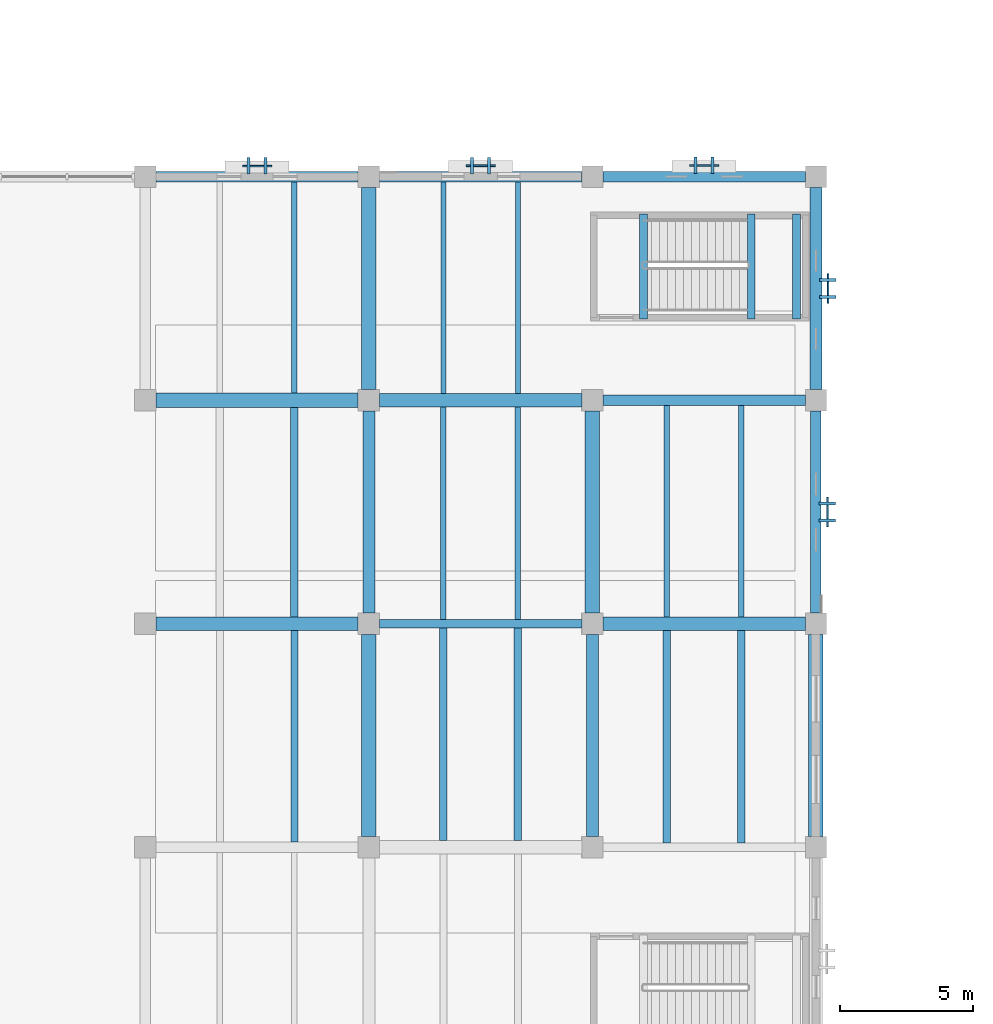
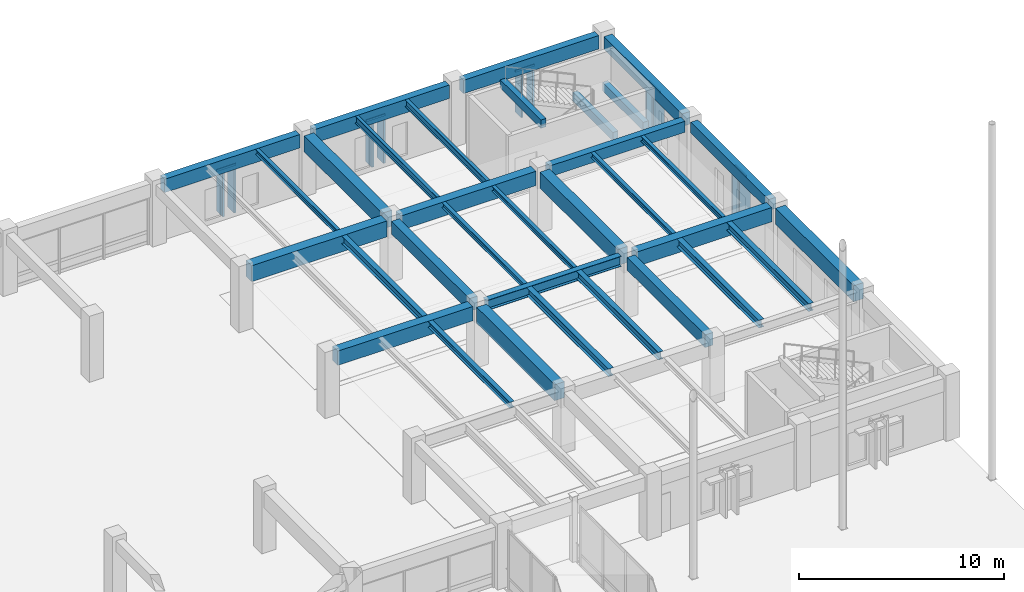
# One storey, part 63 of 135: 33 beams, 15 members, 5 elements without a shape of their own.
"""IFC4 building model written with IfcOpenShell, lengths in metres."""

from ifc_helpers import new_model, si_unit, direction, frame, origin, origin_2d, place, context, subcontext, project, spatial, rectangle, i_section, extrude, material, material_profile, profile_set, type_object, element, aggregate, save


model = new_model("IFC4")

# Units and contexts
model_context = context("Model", 3, precision=1e-05, world=origin(), true_north=direction((0.0, 1.0)))
body_context = subcontext(model_context, "Body", "Model", "MODEL_VIEW")
ifc_project = project(units=[si_unit("LENGTHUNIT", "METRE"), si_unit("AREAUNIT", "SQUARE_METRE"), si_unit("VOLUMEUNIT", "CUBIC_METRE"), si_unit("PLANEANGLEUNIT", "RADIAN"), si_unit("MASSUNIT", "GRAM", prefix="KILO")], contexts=[model_context])

# Site, building, storey
site_placement = place(None, origin())
site = spatial("IfcSite", under=ifc_project, at=site_placement, CompositionType="ELEMENT")
building_placement = place(site_placement, origin())
building = spatial("IfcBuilding", under=site, at=building_placement, Name="Cumbredor Promenade Congress Hotel", CompositionType="ELEMENT")
storey_placement = place(building_placement, origin())
storey = spatial("IfcBuildingStorey", under=building, at=storey_placement, Name="L00", CompositionType="ELEMENT", Elevation=0.0)

# Beams
ifc_material_1 = material(Name="Concrete C40/50", Category="concrete")
ifc_material_profile_1 = material_profile(ifc_material_1, rectangle(XDim=0.39990234375, YDim=0.64990234375, at=origin_2d()), Name="RC BEAM 400x650")
ifc_profile_set_1 = profile_set([ifc_material_profile_1], Name="Concrete C40/50")
beam_type_1 = type_object("IfcBeamType", Name="BM-RC-400x650", PredefinedType="BEAM", material=ifc_profile_set_1)
for number, where, z_axis, x_axis, name in (
    (1, (168.39990234375, 109.199951171875, 3.31494140625), (1.0, 0.0, 0.0), (0.0, 1.0, 0.0), "L01 X-Grid Beam 266"),
    (2, (176.39990234375, 101.199951171875, 3.31494140625), (0.0, 1.0, 0.0), (-1.0, 0.0, 0.0), "L01 Y-Grid Beam 274"),
):
    element("IfcBeam", number, at=place(storey_placement, frame(where, z_axis=z_axis, x_axis=x_axis)), inside=storey, type_object=beam_type_1, Name=name, PredefinedType="BEAM", context=body_context, shape_type="SweptSolid", body=[
        extrude(rectangle(XDim=0.39990234375, YDim=0.64990234375, at=origin_2d()), origin(), (0.0, 0.0, 1.0), 7.60009765625),
    ])
ifc_material_profile_2 = material_profile(ifc_material_1, rectangle(XDim=0.449951171875, YDim=0.75, at=origin_2d()), Name="RC BEAM 450x750")
ifc_profile_set_2 = profile_set([ifc_material_profile_2], Name="Concrete C40/50")
beam_type_2 = type_object("IfcBeamType", Name="BM-RC-450x750", PredefinedType="BEAM", material=ifc_profile_set_2)
beam_1_placement = place(storey_placement, frame((159.60009765625, 101.199951171875, 3.264892578125), z_axis=(0.0, 1.0, 0.0), x_axis=(-1.0, 0.0, 0.0)))
element("IfcBeam", 3, at=beam_1_placement, inside=storey, type_object=beam_type_2, Name="L01 Y-Grid Beam 251", PredefinedType="BEAM", context=body_context, shape_type="SweptSolid", body=[
    extrude(rectangle(XDim=0.449951171875, YDim=0.75, at=origin_2d()), origin(), (0.0, 0.0, 1.0), 7.60009765625),
])
for number, where, z_axis, x_axis, name in (
    (4, (168.0, 92.800048828125, 3.264892578125), (0.0, 1.0, 0.0), (-1.0, 0.0, 0.0), "L01 Y-Grid Beam 263"),
    (5, (176.39990234375, 109.60009765625, 3.264892578125), (0.0, 1.0, 0.0), (-1.0, 0.0, 0.0), "L01 Y-Grid Beam 275"),
):
    element("IfcBeam", number, at=place(storey_placement, frame(where, z_axis=z_axis, x_axis=x_axis)), inside=storey, type_object=beam_type_2, Name=name, PredefinedType="BEAM", context=body_context, shape_type="SweptSolid", body=[
        extrude(rectangle(XDim=0.449951171875, YDim=0.75, at=origin_2d()), origin(), (0.0, 0.0, 1.0), 7.599853515625),
    ])
ifc_material_profile_3 = material_profile(ifc_material_1, rectangle(XDim=0.5, YDim=0.85009765625, at=origin_2d()), Name="RC BEAM 500x850")
ifc_profile_set_3 = profile_set([ifc_material_profile_3], Name="Concrete C40/50")
beam_type_3 = type_object("IfcBeamType", Name="BM-RC-500x850", PredefinedType="BEAM", material=ifc_profile_set_3)
beam_2_placement = place(storey_placement, frame((151.60009765625, 100.800048828125, 3.215087890625), z_axis=(1.0, 0.0, 0.0), x_axis=(0.0, 1.0, 0.0)))
element("IfcBeam", 6, at=beam_2_placement, inside=storey, type_object=beam_type_3, Name="L01 X-Grid Beam 236", PredefinedType="BEAM", context=body_context, shape_type="SweptSolid", body=[
    extrude(rectangle(XDim=0.5, YDim=0.85009765625, at=origin_2d()), origin(), (0.0, 0.0, 1.0), 7.599853515625),
])
for number, where, z_axis, x_axis, name in (
    (7, (160.0, 109.199951171875, 3.215087890625), (1.0, 0.0, 0.0), (0.0, 1.0, 0.0), "L01 X-Grid Beam 252"),
    (8, (168.39990234375, 100.800048828125, 3.215087890625), (1.0, 0.0, 0.0), (0.0, 1.0, 0.0), "L01 X-Grid Beam 264"),
):
    element("IfcBeam", number, at=place(storey_placement, frame(where, z_axis=z_axis, x_axis=x_axis)), inside=storey, type_object=beam_type_3, Name=name, PredefinedType="BEAM", context=body_context, shape_type="SweptSolid", body=[
        extrude(rectangle(XDim=0.5, YDim=0.85009765625, at=origin_2d()), origin(), (0.0, 0.0, 1.0), 7.60009765625),
    ])
ifc_material_profile_4 = material_profile(ifc_material_1, rectangle(XDim=0.550048828125, YDim=0.949951171875, at=origin_2d()), Name="RC BEAM 550x950")
ifc_profile_set_4 = profile_set([ifc_material_profile_4], Name="Concrete C40/50")
beam_type_4 = type_object("IfcBeamType", Name="BM-RC-550x950", PredefinedType="BEAM", material=ifc_profile_set_4)
for number, where, z_axis, x_axis, name in (
    (9, (151.60009765625, 109.199951171875, 3.1650390625), (1.0, 0.0, 0.0), (0.0, 1.0, 0.0), "L01 X-Grid Beam 237"),
    (10, (159.60009765625, 92.800048828125, 3.1650390625), (0.0, 1.0, 0.0), (-1.0, 0.0, 0.0), "L01 Y-Grid Beam 249"),
    (11, (159.60009765625, 109.60009765625, 3.1650390625), (0.0, 1.0, 0.0), (-1.0, 0.0, 0.0), "L01 Y-Grid Beam 253"),
):
    element("IfcBeam", number, at=place(storey_placement, frame(where, z_axis=z_axis, x_axis=x_axis)), inside=storey, type_object=beam_type_4, Name=name, PredefinedType="BEAM", context=body_context, shape_type="SweptSolid", body=[
        extrude(rectangle(XDim=0.550048828125, YDim=0.949951171875, at=origin_2d()), origin(), (0.0, 0.0, 1.0), 7.599853515625),
    ])
beam_3_placement = place(storey_placement, frame((168.0, 101.199951171875, 3.1650390625), z_axis=(0.0, 1.0, 0.0), x_axis=(-1.0, 0.0, 0.0)))
element("IfcBeam", 12, at=beam_3_placement, inside=storey, type_object=beam_type_4, Name="L01 Y-Grid Beam 265", PredefinedType="BEAM", context=body_context, shape_type="SweptSolid", body=[
    extrude(rectangle(XDim=0.550048828125, YDim=0.949951171875, at=origin_2d()), origin(), (0.0, 0.0, 1.0), 7.60009765625),
])
beam_4_placement = place(storey_placement, frame((176.39990234375, 92.800048828125, 3.1650390625), z_axis=(0.0, 1.0, 0.0), x_axis=(-1.0, 0.0, 0.0)))
element("IfcBeam", 13, at=beam_4_placement, inside=storey, type_object=beam_type_4, Name="L01 Y-Grid Beam 273", PredefinedType="BEAM", context=body_context, shape_type="SweptSolid", body=[
    extrude(rectangle(XDim=0.550048828125, YDim=0.949951171875, at=origin_2d()), origin(), (0.0, 0.0, 1.0), 7.599853515625),
])
ifc_material_2 = material(Name="Steel ASTM A992 Grade 50", Category="steel")
ifc_material_profile_5 = material_profile(ifc_material_2, i_section(OverallWidth=0.323974609375, OverallDepth=0.611083984375, WebThickness=0.0126953125, FlangeThickness=0.01904296875, at=origin_2d()), Name="W24X104")
ifc_profile_set_5 = profile_set([ifc_material_profile_5], Name="Steel ASTM A992 Grade 50")
beam_type_5 = type_object("IfcBeamType", Name="BM-W24X104", PredefinedType="BEAM", material=ifc_profile_set_5)
beam_5_placement = place(storey_placement, frame((160.0, 100.800048828125, 3.33447265625), z_axis=(1.0, 0.0, 0.0), x_axis=(0.0, 1.0, 0.0)))
element("IfcBeam", 14, at=beam_5_placement, inside=storey, type_object=beam_type_5, Name="L01 X-Grid Beam 250", PredefinedType="BEAM", context=body_context, shape_type="SweptSolid", body=[
    extrude(i_section(OverallWidth=0.323974609375, OverallDepth=0.611083984375, WebThickness=0.0126953125, FlangeThickness=0.01904296875, at=origin_2d()), origin(), (0.0, 0.0, 1.0), 7.60009765625),
])

# Curtain wall, member
ifc_material_3 = material(Name="Thermally broken anodized aluminium and low-E glass", Category="aluminium")
curtain_wall_type = type_object("IfcCurtainWallType", Name="Solar Brise-Soleil Screen Assembly CW-07", PredefinedType="NOTDEFINED", material=ifc_material_3)
curtain_wall_1_placement = place(storey_placement, origin())
curtain_wall_1 = element("IfcCurtainWall", 15, at=curtain_wall_1_placement, inside=storey, type_object=curtain_wall_type, Name="L00 Pier Brise-Soleil Screen 0070", PredefinedType="NOTDEFINED")
ifc_material_4 = material(Name="Thermally broken anodized aluminium", Category="aluminium")
ifc_material_profile_6 = material_profile(ifc_material_4, rectangle(XDim=0.06494140625, YDim=0.1298828125, at=origin_2d()), Name="ALU TRANSOM 65x130")
ifc_profile_set_6 = profile_set([ifc_material_profile_6], Name="Thermally broken anodized aluminium")
member_type_1 = type_object("IfcMemberType", Name="Curtain Wall Transom TR-01", PredefinedType="USERDEFINED", material=ifc_profile_set_6)
member_1_placement = place(storey_placement, frame((154.85009765625, 118.0, 2.6650390625), z_axis=(1.0, 0.0, 0.0), x_axis=(0.0, 1.0, 0.0)))
member_1 = element("IfcMember", 16, at=member_1_placement, type_object=member_type_1, Name="L00 Pier Brise-Soleil Header 0072", ObjectType="TRANSOM", PredefinedType="USERDEFINED", context=body_context, shape_type="SweptSolid", body=[
    extrude(rectangle(XDim=0.06494140625, YDim=0.1298828125, at=origin_2d()), origin(), (0.0, 0.0, 1.0), 1.099853515625),
])

curtain_wall_2_placement = place(storey_placement, origin())
curtain_wall_2 = element("IfcCurtainWall", 17, at=curtain_wall_2_placement, inside=storey, type_object=curtain_wall_type, Name="L00 Pier Brise-Soleil Screen 0073", PredefinedType="NOTDEFINED")
member_2_placement = place(storey_placement, frame((163.25, 118.010009765625, 2.6650390625), z_axis=(1.0, 0.0, 0.0), x_axis=(0.0, 1.0, 0.0)))
member_2 = element("IfcMember", 18, at=member_2_placement, type_object=member_type_1, Name="L00 Pier Brise-Soleil Header 0075", ObjectType="TRANSOM", PredefinedType="USERDEFINED", context=body_context, shape_type="SweptSolid", body=[
    extrude(rectangle(XDim=0.06494140625, YDim=0.1298828125, at=origin_2d()), origin(), (0.0, 0.0, 1.0), 1.10009765625),
])

curtain_wall_3_placement = place(storey_placement, origin())
curtain_wall_3 = element("IfcCurtainWall", 19, at=curtain_wall_3_placement, inside=storey, type_object=curtain_wall_type, Name="L00 Pier Brise-Soleil Screen 0076", PredefinedType="NOTDEFINED")
member_3_placement = place(storey_placement, frame((171.64990234375, 118.0224609375, 2.6650390625), z_axis=(1.0, 0.0, 0.0), x_axis=(0.0, 1.0, 0.0)))
member_3 = element("IfcMember", 20, at=member_3_placement, type_object=member_type_1, Name="L00 Pier Brise-Soleil Header 0078", ObjectType="TRANSOM", PredefinedType="USERDEFINED", context=body_context, shape_type="SweptSolid", body=[
    extrude(rectangle(XDim=0.06494140625, YDim=0.1298828125, at=origin_2d()), origin(), (0.0, 0.0, 1.0), 1.10009765625),
])

curtain_wall_4_placement = place(storey_placement, origin())
curtain_wall_4 = element("IfcCurtainWall", 21, at=curtain_wall_4_placement, inside=storey, type_object=curtain_wall_type, Name="L00 Pier Brise-Soleil Screen 0088", PredefinedType="NOTDEFINED")
member_4_placement = place(storey_placement, frame((176.8349609375, 104.449951171875, 2.81494140625), z_axis=(0.0, 1.0, 0.0), x_axis=(-1.0, 0.0, 0.0)))
member_4 = element("IfcMember", 22, at=member_4_placement, type_object=member_type_1, Name="L00 Pier Brise-Soleil Header 0090", ObjectType="TRANSOM", PredefinedType="USERDEFINED", context=body_context, shape_type="SweptSolid", body=[
    extrude(rectangle(XDim=0.06494140625, YDim=0.1298828125, at=origin_2d()), origin(), (0.0, 0.0, 1.0), 1.10009765625),
])

curtain_wall_5_placement = place(storey_placement, origin())
curtain_wall_5 = element("IfcCurtainWall", 23, at=curtain_wall_5_placement, inside=storey, type_object=curtain_wall_type, Name="L00 Pier Brise-Soleil Screen 0091", PredefinedType="NOTDEFINED")
member_5_placement = place(storey_placement, frame((176.85009765625, 112.85009765625, 2.715087890625), z_axis=(0.0, 1.0, 0.0), x_axis=(-1.0, 0.0, 0.0)))
member_5 = element("IfcMember", 24, at=member_5_placement, type_object=member_type_1, Name="L00 Pier Brise-Soleil Header 0093", ObjectType="TRANSOM", PredefinedType="USERDEFINED", context=body_context, shape_type="SweptSolid", body=[
    extrude(rectangle(XDim=0.06494140625, YDim=0.1298828125, at=origin_2d()), origin(), (0.0, 0.0, 1.0), 1.099853515625),
])

# Beams
ifc_material_profile_7 = material_profile(ifc_material_2, i_section(OverallWidth=0.202880859375, OverallDepth=0.302978515625, WebThickness=0.007568359375, FlangeThickness=0.01318359375, at=origin_2d()), Name="W12X40")
ifc_profile_set_7 = profile_set([ifc_material_profile_7], Name="Steel ASTM A992 Grade 50")
beam_type_6 = type_object("IfcBeamType", Name="JST-W12X40", PredefinedType="JOIST", material=ifc_profile_set_7)
beam_6_placement = place(storey_placement, frame((156.800048828125, 109.47509765625, 3.488525390625), z_axis=(0.0, 1.0, 0.0), x_axis=(-1.0, 0.0, 0.0)))
element("IfcBeam", 25, at=beam_6_placement, inside=storey, type_object=beam_type_6, Name="L01 Secondary Floor Joist 0134", PredefinedType="JOIST", context=body_context, shape_type="SweptSolid", body=[
    extrude(i_section(OverallWidth=0.202880859375, OverallDepth=0.302978515625, WebThickness=0.007568359375, FlangeThickness=0.01318359375, at=origin_2d()), origin(), (0.0, 0.0, 1.0), 7.9248046875),
])
for number, where, z_axis, x_axis, name in (
    (26, (162.39990234375, 100.9619140625, 3.488525390625), (0.0, 1.0, 0.0), (-1.0, 0.0, 0.0), "L01 Secondary Floor Joist 0143"),
    (27, (165.199951171875, 100.9619140625, 3.488525390625), (0.0, 1.0, 0.0), (-1.0, 0.0, 0.0), "L01 Secondary Floor Joist 0144"),
):
    element("IfcBeam", number, at=place(storey_placement, frame(where, z_axis=z_axis, x_axis=x_axis)), inside=storey, type_object=beam_type_6, Name=name, PredefinedType="JOIST", context=body_context, shape_type="SweptSolid", body=[
        extrude(i_section(OverallWidth=0.202880859375, OverallDepth=0.302978515625, WebThickness=0.007568359375, FlangeThickness=0.01318359375, at=origin_2d()), origin(), (0.0, 0.0, 1.0), 7.988037109375),
    ])
for number, where, z_axis, x_axis, name in (
    (28, (170.800048828125, 101.050048828125, 3.488525390625), (0.0, 1.0, 0.0), (-1.0, 0.0, 0.0), "L01 Secondary Floor Joist 0153"),
    (29, (173.60009765625, 101.050048828125, 3.488525390625), (0.0, 1.0, 0.0), (-1.0, 0.0, 0.0), "L01 Secondary Floor Joist 0154"),
):
    element("IfcBeam", number, at=place(storey_placement, frame(where, z_axis=z_axis, x_axis=x_axis)), inside=storey, type_object=beam_type_6, Name=name, PredefinedType="JOIST", context=body_context, shape_type="SweptSolid", body=[
        extrude(i_section(OverallWidth=0.202880859375, OverallDepth=0.302978515625, WebThickness=0.007568359375, FlangeThickness=0.01318359375, at=origin_2d()), origin(), (0.0, 0.0, 1.0), 7.949951171875),
    ])
ifc_material_profile_8 = material_profile(ifc_material_2, i_section(OverallWidth=0.2548828125, OverallDepth=0.35693359375, WebThickness=0.010498046875, FlangeThickness=0.018310546875, at=origin_2d()), Name="W14X68")
ifc_profile_set_8 = profile_set([ifc_material_profile_8], Name="Steel ASTM A992 Grade 50")
beam_type_7 = type_object("IfcBeamType", Name="JST-W14X68", PredefinedType="JOIST", material=ifc_profile_set_8)
beam_7_placement = place(storey_placement, frame((156.800048828125, 92.60009765625, 3.46142578125), z_axis=(0.0, 1.0, 0.0), x_axis=(-1.0, 0.0, 0.0)))
element("IfcBeam", 30, at=beam_7_placement, inside=storey, type_object=beam_type_7, Name="L01 Secondary Floor Joist 0130", PredefinedType="JOIST", context=body_context, shape_type="SweptSolid", body=[
    extrude(i_section(OverallWidth=0.2548828125, OverallDepth=0.35693359375, WebThickness=0.010498046875, FlangeThickness=0.018310546875, at=origin_2d()), origin(), (0.0, 0.0, 1.0), 7.949951171875),
])
ifc_material_profile_9 = material_profile(ifc_material_2, i_section(OverallWidth=0.180908203125, OverallDepth=0.4169921875, WebThickness=0.010986328125, FlangeThickness=0.018310546875, at=origin_2d()), Name="W16X57")
ifc_profile_set_9 = profile_set([ifc_material_profile_9], Name="Steel ASTM A992 Grade 50")
beam_type_8 = type_object("IfcBeamType", Name="JST-W16X57", PredefinedType="JOIST", material=ifc_profile_set_9)
for number, where, z_axis, x_axis, name in (
    (31, (162.39990234375, 109.449951171875, 3.431396484375), (0.0, 1.0, 0.0), (-1.0, 0.0, 0.0), "L01 Secondary Floor Joist 0145"),
    (32, (165.199951171875, 109.449951171875, 3.431396484375), (0.0, 1.0, 0.0), (-1.0, 0.0, 0.0), "L01 Secondary Floor Joist 0146"),
):
    element("IfcBeam", number, at=place(storey_placement, frame(where, z_axis=z_axis, x_axis=x_axis)), inside=storey, type_object=beam_type_8, Name=name, PredefinedType="JOIST", context=body_context, shape_type="SweptSolid", body=[
        extrude(i_section(OverallWidth=0.180908203125, OverallDepth=0.4169921875, WebThickness=0.010986328125, FlangeThickness=0.018310546875, at=origin_2d()), origin(), (0.0, 0.0, 1.0), 7.949951171875),
    ])
ifc_material_profile_10 = material_profile(ifc_material_2, i_section(OverallWidth=0.280029296875, OverallDepth=0.462890625, WebThickness=0.0107421875, FlangeThickness=0.017333984375, at=origin_2d()), Name="W18X76")
ifc_profile_set_10 = profile_set([ifc_material_profile_10], Name="Steel ASTM A992 Grade 50")
beam_type_9 = type_object("IfcBeamType", Name="JST-W18X76", PredefinedType="JOIST", material=ifc_profile_set_10)
beam_8_placement = place(storey_placement, frame((156.800048828125, 101.050048828125, 3.408447265625), z_axis=(0.0, 1.0, 0.0), x_axis=(-1.0, 0.0, 0.0)))
element("IfcBeam", 33, at=beam_8_placement, inside=storey, type_object=beam_type_9, Name="L01 Secondary Floor Joist 0132", PredefinedType="JOIST", context=body_context, shape_type="SweptSolid", body=[
    extrude(i_section(OverallWidth=0.280029296875, OverallDepth=0.462890625, WebThickness=0.0107421875, FlangeThickness=0.017333984375, at=origin_2d()), origin(), (0.0, 0.0, 1.0), 7.875),
])
for number, where, z_axis, x_axis, name in (
    (34, (162.39990234375, 92.64990234375, 3.408447265625), (0.0, 1.0, 0.0), (-1.0, 0.0, 0.0), "L01 Secondary Floor Joist 0141"),
    (35, (165.199951171875, 92.64990234375, 3.408447265625), (0.0, 1.0, 0.0), (-1.0, 0.0, 0.0), "L01 Secondary Floor Joist 0142"),
    (36, (170.800048828125, 92.56201171875, 3.408447265625), (0.0, 1.0, 0.0), (-1.0, 0.0, 0.0), "L01 Secondary Floor Joist 0151"),
    (37, (173.60009765625, 92.56201171875, 3.408447265625), (0.0, 1.0, 0.0), (-1.0, 0.0, 0.0), "L01 Secondary Floor Joist 0152"),
):
    element("IfcBeam", number, at=place(storey_placement, frame(where, z_axis=z_axis, x_axis=x_axis)), inside=storey, type_object=beam_type_9, Name=name, PredefinedType="JOIST", context=body_context, shape_type="SweptSolid", body=[
        extrude(i_section(OverallWidth=0.280029296875, OverallDepth=0.462890625, WebThickness=0.0107421875, FlangeThickness=0.017333984375, at=origin_2d()), origin(), (0.0, 0.0, 1.0), 7.988037109375),
    ])
ifc_material_profile_11 = material_profile(ifc_material_1, rectangle(XDim=0.300048828125, YDim=0.5, at=origin_2d()), Name="RC LINTEL 300x500")
ifc_profile_set_11 = profile_set([ifc_material_profile_11], Name="Concrete C40/50")
beam_type_10 = type_object("IfcBeamType", Name="LN-RC-300x500", PredefinedType="LINTEL", material=ifc_profile_set_11)
for number, where, z_axis, x_axis, name in (
    (38, (175.669921875, 112.25, 1.510009765625), (0.0, 1.0, 0.0), (-1.0, 0.0, 0.0), "L00 Stair ST-16 Landing Ledger Beam E"),
    (39, (173.969970703125, 112.25, 1.510009765625), (0.0, 1.0, 0.0), (-1.0, 0.0, 0.0), "L00 Stair ST-16 Landing Ledger Beam W"),
    (40, (169.919921875, 112.25, 3.669921875), (0.0, 1.0, 0.0), (-1.0, 0.0, 0.0), "L01 Stair ST-16 Well Header Trimmer Beam"),
):
    element("IfcBeam", number, at=place(storey_placement, frame(where, z_axis=z_axis, x_axis=x_axis)), inside=storey, type_object=beam_type_10, Name=name, PredefinedType="LINTEL", context=body_context, shape_type="SweptSolid", body=[
        extrude(rectangle(XDim=0.300048828125, YDim=0.5, at=origin_2d()), origin(), (0.0, 0.0, 1.0), 3.949951171875),
    ])
ifc_material_profile_12 = material_profile(ifc_material_1, rectangle(XDim=0.39990234375, YDim=0.800048828125, at=origin_2d()), Name="RC SPANDREL 400x800")
ifc_profile_set_12 = profile_set([ifc_material_profile_12], Name="Concrete C40/50")
beam_type_11 = type_object("IfcBeamType", Name="SP-RC-400x800", PredefinedType="SPANDREL", material=ifc_profile_set_12)
beam_9_placement = place(storey_placement, frame((151.60009765625, 117.60009765625, 3.239990234375), z_axis=(1.0, 0.0, 0.0), x_axis=(0.0, 1.0, 0.0)))
element("IfcBeam", 41, at=beam_9_placement, inside=storey, type_object=beam_type_11, Name="L01 X-Grid Beam 239", PredefinedType="SPANDREL", context=body_context, shape_type="SweptSolid", body=[
    extrude(rectangle(XDim=0.39990234375, YDim=0.800048828125, at=origin_2d()), origin(), (0.0, 0.0, 1.0), 7.599853515625),
])
for number, where, z_axis, x_axis, name in (
    (42, (160.0, 117.60009765625, 3.239990234375), (1.0, 0.0, 0.0), (0.0, 1.0, 0.0), "L01 X-Grid Beam 254"),
    (43, (168.39990234375, 117.60009765625, 3.239990234375), (1.0, 0.0, 0.0), (0.0, 1.0, 0.0), "L01 X-Grid Beam 267"),
):
    element("IfcBeam", number, at=place(storey_placement, frame(where, z_axis=z_axis, x_axis=x_axis)), inside=storey, type_object=beam_type_11, Name=name, PredefinedType="SPANDREL", context=body_context, shape_type="SweptSolid", body=[
        extrude(rectangle(XDim=0.39990234375, YDim=0.800048828125, at=origin_2d()), origin(), (0.0, 0.0, 1.0), 7.60009765625),
    ])

# Member
ifc_material_profile_13 = material_profile(ifc_material_4, rectangle(XDim=0.110107421875, YDim=0.6201171875, at=origin_2d()), Name="ARCH FIN 110x620")
ifc_profile_set_13 = profile_set([ifc_material_profile_13], Name="Thermally broken anodized aluminium")
member_type_2 = type_object("IfcMemberType", Name="Vertical Bronze Brise-Soleil Fin BSF-02 110x620", PredefinedType="USERDEFINED", material=ifc_profile_set_13)
member_6_placement = place(storey_placement, frame((155.080078125, 118.0, 0.02001953125), z_axis=(0.0, 0.0, 1.0), x_axis=(1.0, 0.0, 0.0)))
member_6 = element("IfcMember", 44, at=member_6_placement, type_object=member_type_2, Name="L00 Pier Brise-Soleil Fin 0071", ObjectType="SOLAR FIN", PredefinedType="USERDEFINED", context=body_context, shape_type="SweptSolid", body=[
    extrude(rectangle(XDim=0.110107421875, YDim=0.6201171875, at=origin_2d()), origin(), (0.0, 0.0, 1.0), 2.68505859375),
])

member_7_placement = place(storey_placement, frame((155.719970703125, 118.0, 0.02001953125), z_axis=(0.0, 0.0, 1.0), x_axis=(1.0, 0.0, 0.0)))
member_7 = element("IfcMember", 45, at=member_7_placement, type_object=member_type_2, Name="L00 Pier Brise-Soleil Fin 0072", ObjectType="SOLAR FIN", PredefinedType="USERDEFINED", context=body_context, shape_type="SweptSolid", body=[
    extrude(rectangle(XDim=0.110107421875, YDim=0.6201171875, at=origin_2d()), origin(), (0.0, 0.0, 1.0), 2.68505859375),
])

aggregate(curtain_wall_1, [member_6, member_7, member_1])

member_8_placement = place(storey_placement, frame((163.47998046875, 118.010009765625, 0.02001953125), z_axis=(0.0, 0.0, 1.0), x_axis=(1.0, 0.0, 0.0)))
member_8 = element("IfcMember", 46, at=member_8_placement, type_object=member_type_2, Name="L00 Pier Brise-Soleil Fin 0074", ObjectType="SOLAR FIN", PredefinedType="USERDEFINED", context=body_context, shape_type="SweptSolid", body=[
    extrude(rectangle(XDim=0.110107421875, YDim=0.6201171875, at=origin_2d()), origin(), (0.0, 0.0, 1.0), 2.68505859375),
])

member_9_placement = place(storey_placement, frame((164.1201171875, 118.010009765625, 0.02001953125), z_axis=(0.0, 0.0, 1.0), x_axis=(1.0, 0.0, 0.0)))
member_9 = element("IfcMember", 47, at=member_9_placement, type_object=member_type_2, Name="L00 Pier Brise-Soleil Fin 0075", ObjectType="SOLAR FIN", PredefinedType="USERDEFINED", context=body_context, shape_type="SweptSolid", body=[
    extrude(rectangle(XDim=0.110107421875, YDim=0.6201171875, at=origin_2d()), origin(), (0.0, 0.0, 1.0), 2.68505859375),
])

aggregate(curtain_wall_2, [member_8, member_9, member_2])

member_10_placement = place(storey_placement, frame((171.8798828125, 118.0224609375, 0.02001953125), z_axis=(0.0, 0.0, 1.0), x_axis=(1.0, 0.0, 0.0)))
member_10 = element("IfcMember", 48, at=member_10_placement, type_object=member_type_2, Name="L00 Pier Brise-Soleil Fin 0077", ObjectType="SOLAR FIN", PredefinedType="USERDEFINED", context=body_context, shape_type="SweptSolid", body=[
    extrude(rectangle(XDim=0.110107421875, YDim=0.6201171875, at=origin_2d()), origin(), (0.0, 0.0, 1.0), 2.68505859375),
])

member_11_placement = place(storey_placement, frame((172.52001953125, 118.0224609375, 0.02001953125), z_axis=(0.0, 0.0, 1.0), x_axis=(1.0, 0.0, 0.0)))
member_11 = element("IfcMember", 49, at=member_11_placement, type_object=member_type_2, Name="L00 Pier Brise-Soleil Fin 0078", ObjectType="SOLAR FIN", PredefinedType="USERDEFINED", context=body_context, shape_type="SweptSolid", body=[
    extrude(rectangle(XDim=0.110107421875, YDim=0.6201171875, at=origin_2d()), origin(), (0.0, 0.0, 1.0), 2.68505859375),
])

aggregate(curtain_wall_3, [member_10, member_11, member_3])

member_12_placement = place(storey_placement, frame((176.8349609375, 104.679931640625, 0.02001953125), z_axis=(0.0, 0.0, 1.0), x_axis=(0.0, 1.0, 0.0)))
member_12 = element("IfcMember", 50, at=member_12_placement, type_object=member_type_2, Name="L00 Pier Brise-Soleil Fin 0089", ObjectType="SOLAR FIN", PredefinedType="USERDEFINED", context=body_context, shape_type="SweptSolid", body=[
    extrude(rectangle(XDim=0.110107421875, YDim=0.6201171875, at=origin_2d()), origin(), (0.0, 0.0, 1.0), 2.8349609375),
])

member_13_placement = place(storey_placement, frame((176.8349609375, 105.320068359375, 0.02001953125), z_axis=(0.0, 0.0, 1.0), x_axis=(0.0, 1.0, 0.0)))
member_13 = element("IfcMember", 51, at=member_13_placement, type_object=member_type_2, Name="L00 Pier Brise-Soleil Fin 0090", ObjectType="SOLAR FIN", PredefinedType="USERDEFINED", context=body_context, shape_type="SweptSolid", body=[
    extrude(rectangle(XDim=0.110107421875, YDim=0.6201171875, at=origin_2d()), origin(), (0.0, 0.0, 1.0), 2.8349609375),
])

aggregate(curtain_wall_4, [member_12, member_13, member_4])

member_14_placement = place(storey_placement, frame((176.85009765625, 113.080078125, 0.02001953125), z_axis=(0.0, 0.0, 1.0), x_axis=(0.0, 1.0, 0.0)))
member_14 = element("IfcMember", 52, at=member_14_placement, type_object=member_type_2, Name="L00 Pier Brise-Soleil Fin 0092", ObjectType="SOLAR FIN", PredefinedType="USERDEFINED", context=body_context, shape_type="SweptSolid", body=[
    extrude(rectangle(XDim=0.110107421875, YDim=0.6201171875, at=origin_2d()), origin(), (0.0, 0.0, 1.0), 2.73486328125),
])

member_15_placement = place(storey_placement, frame((176.85009765625, 113.719970703125, 0.02001953125), z_axis=(0.0, 0.0, 1.0), x_axis=(0.0, 1.0, 0.0)))
member_15 = element("IfcMember", 53, at=member_15_placement, type_object=member_type_2, Name="L00 Pier Brise-Soleil Fin 0093", ObjectType="SOLAR FIN", PredefinedType="USERDEFINED", context=body_context, shape_type="SweptSolid", body=[
    extrude(rectangle(XDim=0.110107421875, YDim=0.6201171875, at=origin_2d()), origin(), (0.0, 0.0, 1.0), 2.73486328125),
])

aggregate(curtain_wall_5, [member_14, member_15, member_5])

save(model, "model.ifc")
